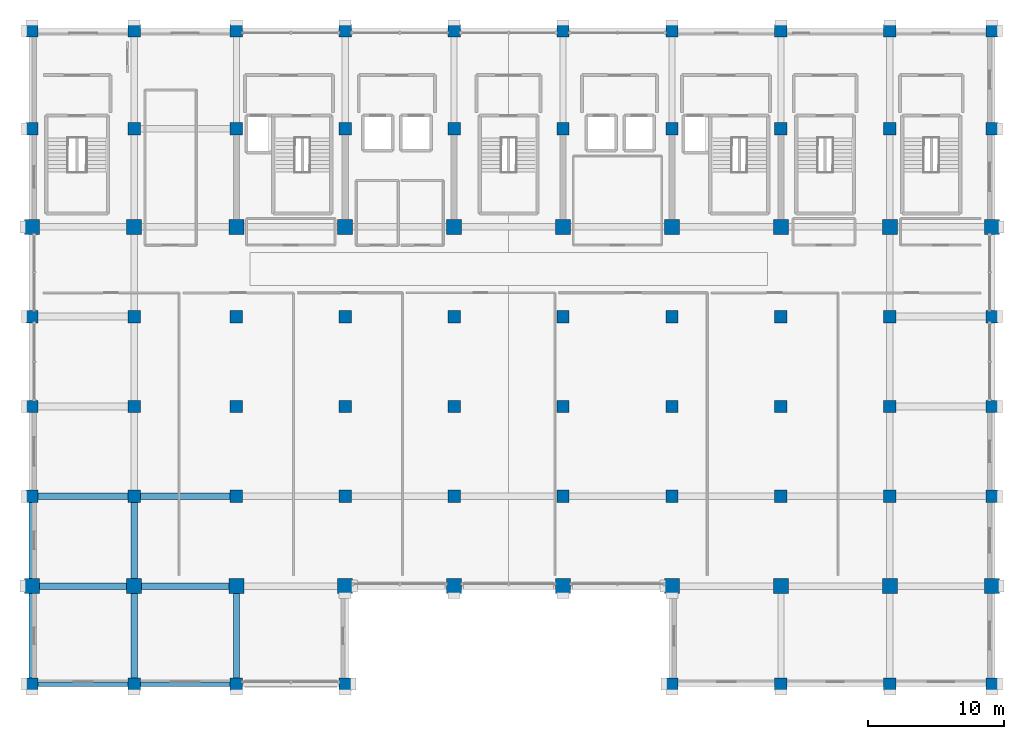
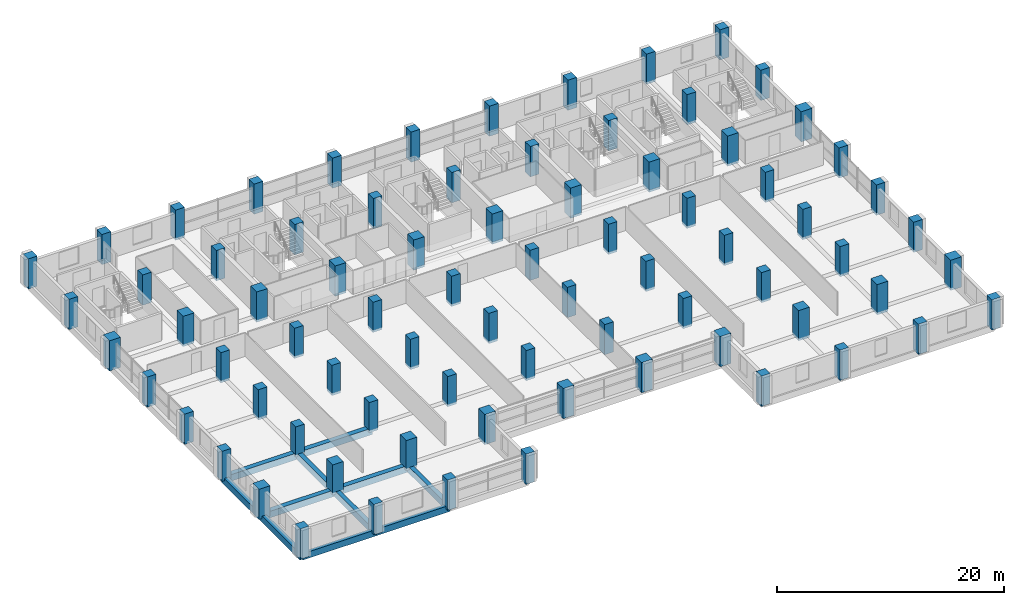
# One storey, part 1 of 22: 78 columns, 11 beams.
"""IFC4 building model written with IfcOpenShell, lengths in metres."""

from ifc_helpers import new_model, si_unit, direction, frame, origin, origin_2d, place, context, subcontext, project, spatial, rectangle, extrude, material, material_profile, profile_set, type_object, element, save


model = new_model("IFC4")

# Units and contexts
model_context = context("Model", 3, precision=1e-05, world=origin(), true_north=direction((0.0, 1.0)))
body_context = subcontext(model_context, "Body", "Model", "MODEL_VIEW")
ifc_project = project(units=[si_unit("LENGTHUNIT", "METRE"), si_unit("AREAUNIT", "SQUARE_METRE"), si_unit("VOLUMEUNIT", "CUBIC_METRE"), si_unit("PLANEANGLEUNIT", "RADIAN"), si_unit("MASSUNIT", "GRAM", prefix="KILO")], contexts=[model_context])

# Site, building, storey
site_placement = place(None, origin())
site = spatial("IfcSite", under=ifc_project, at=site_placement, CompositionType="ELEMENT")
building_placement = place(site_placement, origin())
building = spatial("IfcBuilding", under=site, at=building_placement, Name="Akrevak Sports Hall", CompositionType="ELEMENT")
storey_placement = place(building_placement, frame((0.0, 0.0, 30.800048828125)))
storey = spatial("IfcBuildingStorey", under=building, at=storey_placement, Name="L06", CompositionType="ELEMENT", Elevation=30.800048828125)

# Columns
ifc_material_1 = material(Name="Concrete C50/60", Category="concrete")
ifc_material_profile_1 = material_profile(ifc_material_1, rectangle(XDim=1.10009765625, YDim=1.10009765625, at=origin_2d()), Name="RC 1100x1100", Category="concrete")
ifc_profile_set_1 = profile_set([ifc_material_profile_1], Name="Concrete C50/60")
column_type_1 = type_object("IfcColumnType", Name="STR-COL-RC1100", PredefinedType="COLUMN", material=ifc_profile_set_1)
for number, where, z_axis, x_axis, name in (
    (1, (45.0, 28.800048828125, -0.260009765625), (0.0, 0.0, 1.0), (1.0, 0.0, 0.0), "Column 7/E (L06)"),
    (2, (45.0, 55.199951171875, -0.260009765625), (0.0, 0.0, 1.0), (1.0, 0.0, 0.0), "Column 7/I (L06)"),
    (3, (52.5, 28.800048828125, -0.260009765625), (0.0, 0.0, 1.0), (1.0, 0.0, 0.0), "Column 8/E (L06)"),
    (4, (52.5, 55.199951171875, -0.260009765625), (0.0, 0.0, 1.0), (1.0, 0.0, 0.0), "Column 8/I (L06)"),
    (5, (60.0, 28.800048828125, -0.260009765625), (0.0, 0.0, 1.0), (1.0, 0.0, 0.0), "Column 9/E (L06)"),
    (6, (60.0, 55.199951171875, -0.260009765625), (0.0, 0.0, 1.0), (1.0, 0.0, 0.0), "Column 9/I (L06)"),
    (7, (68.0, 28.800048828125, -0.260009765625), (0.0, 0.0, 1.0), (1.0, 0.0, 0.0), "Column 10/E (L06)"),
    (8, (68.0, 55.199951171875, -0.260009765625), (0.0, 0.0, 1.0), (1.0, 0.0, 0.0), "Column 10/I (L06)"),
    (9, (76.0, 28.800048828125, -0.260009765625), (0.0, 0.0, 1.0), (1.0, 0.0, 0.0), "Column 11/E (L06)"),
    (10, (76.0, 55.199951171875, -0.260009765625), (0.0, 0.0, 1.0), (1.0, 0.0, 0.0), "Column 11/I (L06)"),
    (11, (84.0, 28.800048828125, -0.260009765625), (0.0, 0.0, 1.0), (1.0, 0.0, 0.0), "Column 12/E (L06)"),
    (12, (84.0, 55.199951171875, -0.260009765625), (0.0, 0.0, 1.0), (1.0, 0.0, 0.0), "Column 12/I (L06)"),
    (13, (92.0, 28.800048828125, -0.260009765625), (0.0, 0.0, 1.0), (1.0, 0.0, 0.0), "Column 13/E (L06)"),
    (14, (92.0, 55.199951171875, -0.260009765625), (0.0, 0.0, 1.0), (1.0, 0.0, 0.0), "Column 13/I (L06)"),
    (15, (100.0, 28.800048828125, -0.260009765625), (0.0, 0.0, 1.0), (1.0, 0.0, 0.0), "Column 14/E (L06)"),
    (16, (100.0, 55.199951171875, -0.260009765625), (0.0, 0.0, 1.0), (1.0, 0.0, 0.0), "Column 14/I (L06)"),
    (17, (108.0, 28.800048828125, -0.260009765625), (0.0, 0.0, 1.0), (1.0, 0.0, 0.0), "Column 15/E (L06)"),
    (18, (108.0, 55.199951171875, -0.260009765625), (0.0, 0.0, 1.0), (1.0, 0.0, 0.0), "Column 15/I (L06)"),
    (19, (115.5, 28.800048828125, -0.260009765625), (0.0, 0.0, 1.0), (1.0, 0.0, 0.0), "Column 16/E (L06)"),
    (20, (115.5, 55.199951171875, -0.260009765625), (0.0, 0.0, 1.0), (1.0, 0.0, 0.0), "Column 16/I (L06)"),
):
    element("IfcColumn", number, at=place(storey_placement, frame(where, z_axis=z_axis, x_axis=x_axis)), inside=storey, type_object=column_type_1, Name=name, PredefinedType="COLUMN", context=body_context, shape_type="SweptSolid", body=[
        extrude(rectangle(XDim=1.10009765625, YDim=1.10009765625, at=origin_2d()), origin(), (0.0, 0.0, 1.0), 3.260009765625),
    ])
ifc_material_2 = material(Name="Concrete C40/50", Category="concrete")
ifc_material_profile_2 = material_profile(ifc_material_2, rectangle(XDim=0.89990234375, YDim=0.89990234375, at=origin_2d()), Name="RC 900x900", Category="concrete")
ifc_profile_set_2 = profile_set([ifc_material_profile_2], Name="Concrete C40/50")
column_type_2 = type_object("IfcColumnType", Name="STR-COL-RC900", PredefinedType="COLUMN", material=ifc_profile_set_2)
for number, where, z_axis, x_axis, name in (
    (21, (45.0, 21.60009765625, -0.260009765625), (0.0, 0.0, 1.0), (1.0, 0.0, 0.0), "Column 7/D (L06)"),
    (22, (45.0, 35.39990234375, -0.260009765625), (0.0, 0.0, 1.0), (1.0, 0.0, 0.0), "Column 7/F (L06)"),
    (23, (45.0, 42.0, -0.260009765625), (0.0, 0.0, 1.0), (1.0, 0.0, 0.0), "Column 7/G (L06)"),
    (24, (45.0, 48.60009765625, -0.260009765625), (0.0, 0.0, 1.0), (1.0, 0.0, 0.0), "Column 7/H (L06)"),
    (25, (45.0, 62.39990234375, -0.260009765625), (0.0, 0.0, 1.0), (1.0, 0.0, 0.0), "Column 7/J (L06)"),
    (26, (45.0, 69.60009765625, -0.260009765625), (0.0, 0.0, 1.0), (1.0, 0.0, 0.0), "Column 7/K (L06)"),
    (27, (52.5, 21.60009765625, -0.260009765625), (0.0, 0.0, 1.0), (1.0, 0.0, 0.0), "Column 8/D (L06)"),
    (28, (52.5, 35.39990234375, -0.260009765625), (0.0, 0.0, 1.0), (1.0, 0.0, 0.0), "Column 8/F (L06)"),
    (29, (52.5, 42.0, -0.260009765625), (0.0, 0.0, 1.0), (1.0, 0.0, 0.0), "Column 8/G (L06)"),
    (30, (52.5, 48.60009765625, -0.260009765625), (0.0, 0.0, 1.0), (1.0, 0.0, 0.0), "Column 8/H (L06)"),
    (31, (52.5, 62.39990234375, -0.260009765625), (0.0, 0.0, 1.0), (1.0, 0.0, 0.0), "Column 8/J (L06)"),
    (32, (52.5, 69.60009765625, -0.260009765625), (0.0, 0.0, 1.0), (1.0, 0.0, 0.0), "Column 8/K (L06)"),
    (33, (60.0, 21.60009765625, -0.260009765625), (0.0, 0.0, 1.0), (1.0, 0.0, 0.0), "Column 9/D (L06)"),
    (34, (60.0, 35.39990234375, -0.260009765625), (0.0, 0.0, 1.0), (1.0, 0.0, 0.0), "Column 9/F (L06)"),
    (35, (60.0, 42.0, -0.260009765625), (0.0, 0.0, 1.0), (1.0, 0.0, 0.0), "Column 9/G (L06)"),
    (36, (60.0, 48.60009765625, -0.260009765625), (0.0, 0.0, 1.0), (1.0, 0.0, 0.0), "Column 9/H (L06)"),
    (37, (60.0, 62.39990234375, -0.260009765625), (0.0, 0.0, 1.0), (1.0, 0.0, 0.0), "Column 9/J (L06)"),
    (38, (60.0, 69.60009765625, -0.260009765625), (0.0, 0.0, 1.0), (1.0, 0.0, 0.0), "Column 9/K (L06)"),
    (39, (68.0, 21.60009765625, -0.260009765625), (0.0, 0.0, 1.0), (1.0, 0.0, 0.0), "Column 10/D (L06)"),
    (40, (68.0, 35.39990234375, -0.260009765625), (0.0, 0.0, 1.0), (1.0, 0.0, 0.0), "Column 10/F (L06)"),
    (41, (68.0, 42.0, -0.260009765625), (0.0, 0.0, 1.0), (1.0, 0.0, 0.0), "Column 10/G (L06)"),
    (42, (68.0, 48.60009765625, -0.260009765625), (0.0, 0.0, 1.0), (1.0, 0.0, 0.0), "Column 10/H (L06)"),
    (43, (68.0, 62.39990234375, -0.260009765625), (0.0, 0.0, 1.0), (1.0, 0.0, 0.0), "Column 10/J (L06)"),
    (44, (68.0, 69.60009765625, -0.260009765625), (0.0, 0.0, 1.0), (1.0, 0.0, 0.0), "Column 10/K (L06)"),
    (45, (76.0, 35.39990234375, -0.260009765625), (0.0, 0.0, 1.0), (1.0, 0.0, 0.0), "Column 11/F (L06)"),
    (46, (76.0, 42.0, -0.260009765625), (0.0, 0.0, 1.0), (1.0, 0.0, 0.0), "Column 11/G (L06)"),
    (47, (76.0, 48.60009765625, -0.260009765625), (0.0, 0.0, 1.0), (1.0, 0.0, 0.0), "Column 11/H (L06)"),
    (48, (76.0, 62.39990234375, -0.260009765625), (0.0, 0.0, 1.0), (1.0, 0.0, 0.0), "Column 11/J (L06)"),
    (49, (76.0, 69.60009765625, -0.260009765625), (0.0, 0.0, 1.0), (1.0, 0.0, 0.0), "Column 11/K (L06)"),
    (50, (84.0, 35.39990234375, -0.260009765625), (0.0, 0.0, 1.0), (1.0, 0.0, 0.0), "Column 12/F (L06)"),
    (51, (84.0, 42.0, -0.260009765625), (0.0, 0.0, 1.0), (1.0, 0.0, 0.0), "Column 12/G (L06)"),
    (52, (84.0, 48.60009765625, -0.260009765625), (0.0, 0.0, 1.0), (1.0, 0.0, 0.0), "Column 12/H (L06)"),
    (53, (84.0, 62.39990234375, -0.260009765625), (0.0, 0.0, 1.0), (1.0, 0.0, 0.0), "Column 12/J (L06)"),
    (54, (84.0, 69.60009765625, -0.260009765625), (0.0, 0.0, 1.0), (1.0, 0.0, 0.0), "Column 12/K (L06)"),
    (55, (92.0, 21.60009765625, -0.260009765625), (0.0, 0.0, 1.0), (1.0, 0.0, 0.0), "Column 13/D (L06)"),
    (56, (92.0, 35.39990234375, -0.260009765625), (0.0, 0.0, 1.0), (1.0, 0.0, 0.0), "Column 13/F (L06)"),
    (57, (92.0, 42.0, -0.260009765625), (0.0, 0.0, 1.0), (1.0, 0.0, 0.0), "Column 13/G (L06)"),
    (58, (92.0, 48.60009765625, -0.260009765625), (0.0, 0.0, 1.0), (1.0, 0.0, 0.0), "Column 13/H (L06)"),
    (59, (92.0, 62.39990234375, -0.260009765625), (0.0, 0.0, 1.0), (1.0, 0.0, 0.0), "Column 13/J (L06)"),
    (60, (92.0, 69.60009765625, -0.260009765625), (0.0, 0.0, 1.0), (1.0, 0.0, 0.0), "Column 13/K (L06)"),
    (61, (100.0, 21.60009765625, -0.260009765625), (0.0, 0.0, 1.0), (1.0, 0.0, 0.0), "Column 14/D (L06)"),
    (62, (100.0, 35.39990234375, -0.260009765625), (0.0, 0.0, 1.0), (1.0, 0.0, 0.0), "Column 14/F (L06)"),
    (63, (100.0, 42.0, -0.260009765625), (0.0, 0.0, 1.0), (1.0, 0.0, 0.0), "Column 14/G (L06)"),
    (64, (100.0, 48.60009765625, -0.260009765625), (0.0, 0.0, 1.0), (1.0, 0.0, 0.0), "Column 14/H (L06)"),
    (65, (100.0, 62.39990234375, -0.260009765625), (0.0, 0.0, 1.0), (1.0, 0.0, 0.0), "Column 14/J (L06)"),
    (66, (100.0, 69.60009765625, -0.260009765625), (0.0, 0.0, 1.0), (1.0, 0.0, 0.0), "Column 14/K (L06)"),
    (67, (108.0, 21.60009765625, -0.260009765625), (0.0, 0.0, 1.0), (1.0, 0.0, 0.0), "Column 15/D (L06)"),
    (68, (108.0, 35.39990234375, -0.260009765625), (0.0, 0.0, 1.0), (1.0, 0.0, 0.0), "Column 15/F (L06)"),
    (69, (108.0, 42.0, -0.260009765625), (0.0, 0.0, 1.0), (1.0, 0.0, 0.0), "Column 15/G (L06)"),
    (70, (108.0, 48.60009765625, -0.260009765625), (0.0, 0.0, 1.0), (1.0, 0.0, 0.0), "Column 15/H (L06)"),
    (71, (108.0, 62.39990234375, -0.260009765625), (0.0, 0.0, 1.0), (1.0, 0.0, 0.0), "Column 15/J (L06)"),
    (72, (108.0, 69.60009765625, -0.260009765625), (0.0, 0.0, 1.0), (1.0, 0.0, 0.0), "Column 15/K (L06)"),
    (73, (115.5, 21.60009765625, -0.260009765625), (0.0, 0.0, 1.0), (1.0, 0.0, 0.0), "Column 16/D (L06)"),
    (74, (115.5, 35.39990234375, -0.260009765625), (0.0, 0.0, 1.0), (1.0, 0.0, 0.0), "Column 16/F (L06)"),
    (75, (115.5, 42.0, -0.260009765625), (0.0, 0.0, 1.0), (1.0, 0.0, 0.0), "Column 16/G (L06)"),
    (76, (115.5, 48.60009765625, -0.260009765625), (0.0, 0.0, 1.0), (1.0, 0.0, 0.0), "Column 16/H (L06)"),
    (77, (115.5, 62.39990234375, -0.260009765625), (0.0, 0.0, 1.0), (1.0, 0.0, 0.0), "Column 16/J (L06)"),
    (78, (115.5, 69.60009765625, -0.260009765625), (0.0, 0.0, 1.0), (1.0, 0.0, 0.0), "Column 16/K (L06)"),
):
    element("IfcColumn", number, at=place(storey_placement, frame(where, z_axis=z_axis, x_axis=x_axis)), inside=storey, type_object=column_type_2, Name=name, PredefinedType="COLUMN", context=body_context, shape_type="SweptSolid", body=[
        extrude(rectangle(XDim=0.89990234375, YDim=0.89990234375, at=origin_2d()), origin(), (0.0, 0.0, 1.0), 3.260009765625),
    ])

# Beams
ifc_material_profile_3 = material_profile(ifc_material_2, rectangle(XDim=0.449951171875, YDim=0.699951171875, at=origin_2d()), Name="BM 450x700", Category="concrete")
ifc_profile_set_3 = profile_set([ifc_material_profile_3], Name="Concrete C40/50")
beam_type_1 = type_object("IfcBeamType", Name="STR-BM-RC450x700", PredefinedType="BEAM", material=ifc_profile_set_3)
beam_1_placement = place(storey_placement, frame((45.0, 21.60009765625, -0.35009765625), z_axis=(0.0, 1.0, 0.0), x_axis=(-1.0, 0.0, 0.0)))
element("IfcBeam", 79, at=beam_1_placement, inside=storey, type_object=beam_type_1, Name="Girder 7/D-E (L06)", PredefinedType="BEAM", context=body_context, shape_type="SweptSolid", body=[
    extrude(rectangle(XDim=0.449951171875, YDim=0.699951171875, at=origin_2d()), origin(), (0.0, 0.0, 1.0), 7.199951171875),
])
beam_2_placement = place(storey_placement, frame((45.0, 28.800048828125, -0.35009765625), z_axis=(0.0, 1.0, 0.0), x_axis=(-1.0, 0.0, 0.0)))
element("IfcBeam", 80, at=beam_2_placement, inside=storey, type_object=beam_type_1, Name="Girder 7/E-F (L06)", PredefinedType="BEAM", context=body_context, shape_type="SweptSolid", body=[
    extrude(rectangle(XDim=0.449951171875, YDim=0.699951171875, at=origin_2d()), origin(), (0.0, 0.0, 1.0), 6.599853515625),
])
beam_3_placement = place(storey_placement, frame((52.5, 21.60009765625, -0.35009765625), z_axis=(0.0, 1.0, 0.0), x_axis=(-1.0, 0.0, 0.0)))
element("IfcBeam", 81, at=beam_3_placement, inside=storey, type_object=beam_type_1, Name="Girder 8/D-E (L06)", PredefinedType="BEAM", context=body_context, shape_type="SweptSolid", body=[
    extrude(rectangle(XDim=0.449951171875, YDim=0.699951171875, at=origin_2d()), origin(), (0.0, 0.0, 1.0), 7.199951171875),
])
beam_4_placement = place(storey_placement, frame((52.5, 28.800048828125, -0.35009765625), z_axis=(0.0, 1.0, 0.0), x_axis=(-1.0, 0.0, 0.0)))
element("IfcBeam", 82, at=beam_4_placement, inside=storey, type_object=beam_type_1, Name="Girder 8/E-F (L06)", PredefinedType="BEAM", context=body_context, shape_type="SweptSolid", body=[
    extrude(rectangle(XDim=0.449951171875, YDim=0.699951171875, at=origin_2d()), origin(), (0.0, 0.0, 1.0), 6.599853515625),
])
beam_5_placement = place(storey_placement, frame((60.0, 21.60009765625, -0.35009765625), z_axis=(0.0, 1.0, 0.0), x_axis=(-1.0, 0.0, 0.0)))
element("IfcBeam", 83, at=beam_5_placement, inside=storey, type_object=beam_type_1, Name="Girder 9/D-E (L06)", PredefinedType="BEAM", context=body_context, shape_type="SweptSolid", body=[
    extrude(rectangle(XDim=0.449951171875, YDim=0.699951171875, at=origin_2d()), origin(), (0.0, 0.0, 1.0), 7.199951171875),
])
ifc_material_profile_4 = material_profile(ifc_material_2, rectangle(XDim=0.5, YDim=0.699951171875, at=origin_2d()), Name="BM 500x700", Category="concrete")
ifc_profile_set_4 = profile_set([ifc_material_profile_4], Name="Concrete C40/50")
beam_type_2 = type_object("IfcBeamType", Name="STR-BM-RC500x700", PredefinedType="BEAM", material=ifc_profile_set_4)
for number, where, z_axis, x_axis, name in (
    (84, (45.0, 28.800048828125, -0.35009765625), (1.0, 0.0, 0.0), (0.0, 1.0, 0.0), "Girder E/7-8 (L06)"),
    (85, (52.5, 28.800048828125, -0.35009765625), (1.0, 0.0, 0.0), (0.0, 1.0, 0.0), "Girder E/8-9 (L06)"),
    (86, (45.0, 35.39990234375, -0.35009765625), (1.0, 0.0, 0.0), (0.0, 1.0, 0.0), "Girder F/7-8 (L06)"),
    (87, (52.5, 35.39990234375, -0.35009765625), (1.0, 0.0, 0.0), (0.0, 1.0, 0.0), "Girder F/8-9 (L06)"),
):
    element("IfcBeam", number, at=place(storey_placement, frame(where, z_axis=z_axis, x_axis=x_axis)), inside=storey, type_object=beam_type_2, Name=name, PredefinedType="BEAM", context=body_context, shape_type="SweptSolid", body=[
        extrude(rectangle(XDim=0.5, YDim=0.699951171875, at=origin_2d()), origin(), (0.0, 0.0, 1.0), 7.5),
    ])
ifc_material_profile_5 = material_profile(ifc_material_2, rectangle(XDim=0.320068359375, YDim=0.679931640625, at=origin_2d()), Name="SPD 320x680", Category="concrete")
ifc_profile_set_5 = profile_set([ifc_material_profile_5], Name="Concrete C40/50")
beam_type_3 = type_object("IfcBeamType", Name="STR-SPD-RC320x680", PredefinedType="SPANDREL", material=ifc_profile_set_5)
for number, where, z_axis, x_axis, name in (
    (88, (45.0, 21.60009765625, -0.340087890625), (1.0, 0.0, 0.0), (0.0, 1.0, 0.0), "Girder D/7-8 (L06)"),
    (89, (52.5, 21.60009765625, -0.340087890625), (1.0, 0.0, 0.0), (0.0, 1.0, 0.0), "Girder D/8-9 (L06)"),
):
    element("IfcBeam", number, at=place(storey_placement, frame(where, z_axis=z_axis, x_axis=x_axis)), inside=storey, type_object=beam_type_3, Name=name, PredefinedType="SPANDREL", context=body_context, shape_type="SweptSolid", body=[
        extrude(rectangle(XDim=0.320068359375, YDim=0.679931640625, at=origin_2d()), origin(), (0.0, 0.0, 1.0), 7.5),
    ])

save(model, "model.ifc")
